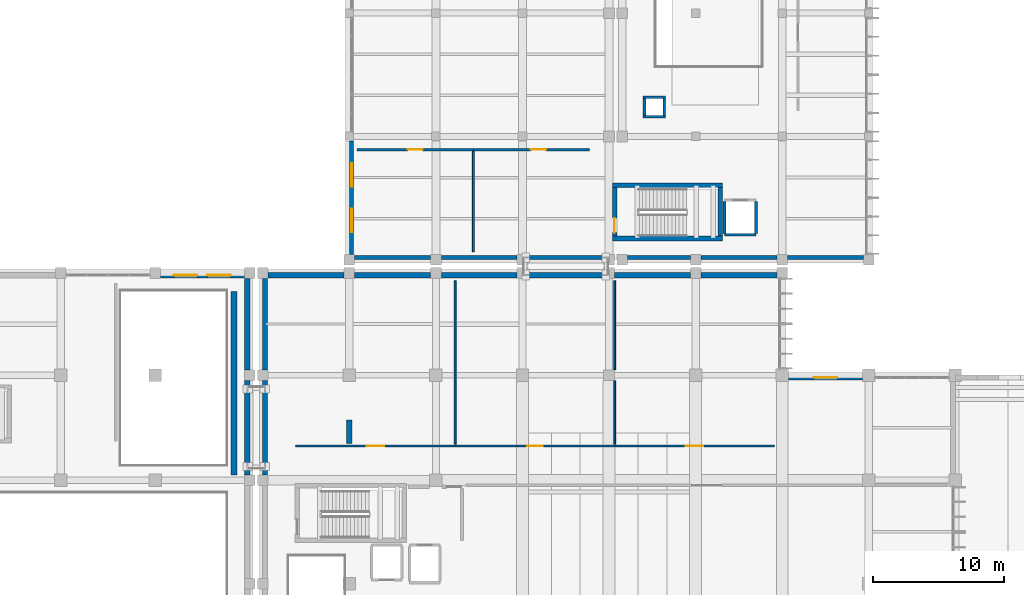
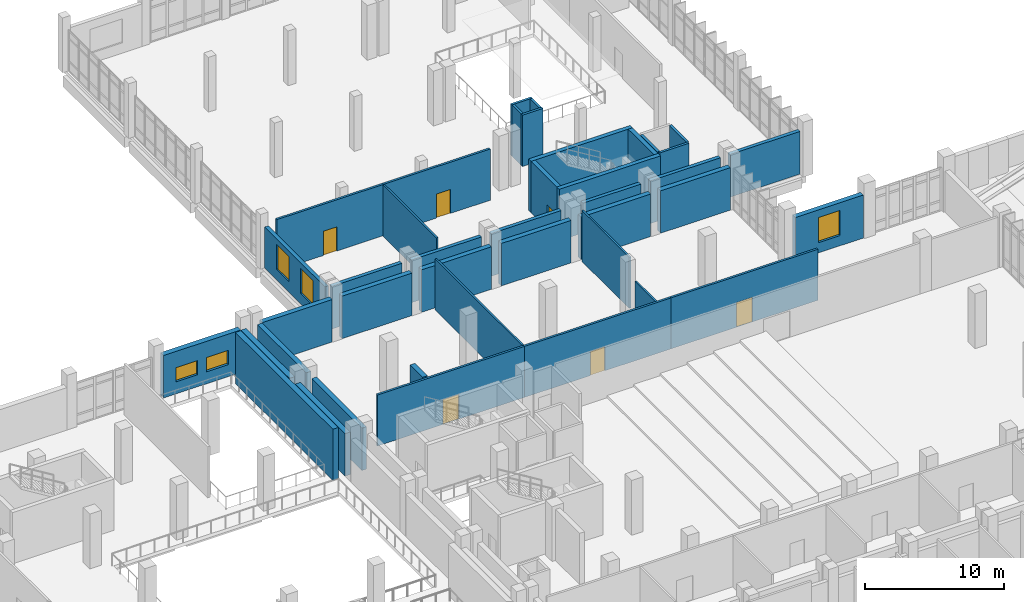
# One storey, part 70 of 90: 41 walls, 6 doors, 5 windows, 11 openings.
"""IFC4 building model written with IfcOpenShell, lengths in metres."""

from ifc_helpers import new_model, si_unit, direction, frame, frame_2d, origin, place, context, subcontext, project, spatial, rectangle, extrude, material, layer, layer_set, type_object, element, fill, save


model = new_model("IFC4")

# Units and contexts
model_context = context("Model", 3, precision=1e-05, world=origin(), true_north=direction((0.0, 1.0)))
body_context = subcontext(model_context, "Body", "Model", "MODEL_VIEW")
ifc_project = project(units=[si_unit("LENGTHUNIT", "METRE"), si_unit("AREAUNIT", "SQUARE_METRE"), si_unit("VOLUMEUNIT", "CUBIC_METRE"), si_unit("PLANEANGLEUNIT", "RADIAN"), si_unit("MASSUNIT", "GRAM", prefix="KILO")], contexts=[model_context])

# Site, building, storey
site_placement = place(None, origin())
site = spatial("IfcSite", under=ifc_project, at=site_placement, CompositionType="ELEMENT")
building_placement = place(site_placement, origin())
building = spatial("IfcBuilding", under=site, at=building_placement, Name="Kelarvand Opera House", CompositionType="ELEMENT")
storey_placement = place(building_placement, frame((0.0, 0.0, 5.39990234375)))
storey = spatial("IfcBuildingStorey", under=building, at=storey_placement, Name="L01", CompositionType="ELEMENT", Elevation=5.39990234375)

# Walls
ifc_material_1 = material(Name="Concrete C35/45", Category="concrete")
ifc_layer_1 = layer(ifc_material_1, 0.39990234375, Name="Concrete C35/45", Category="concrete")
ifc_layer_set_1 = layer_set([ifc_layer_1], Name="Concrete C35/45")
wall_type_1 = type_object("IfcWallType", Name="Acoustic Brick-Travertine Double Wall 400", PredefinedType="SOLIDWALL", material=ifc_layer_set_1)
wall_1_placement = place(storey_placement, frame((89.179931640625, 70.81005859375, 0.0), z_axis=(0.0, 0.0, 1.0), x_axis=(0.0, 1.0, 0.0)))
element("IfcWall", 1, at=wall_1_placement, inside=storey, type_object=wall_type_1, Name="V1 L01 Exterior Wall EW-400 (93)", PredefinedType="SOLIDWALL", context=body_context, shape_type="SweptSolid", body=[
    extrude(rectangle(XDim=7.179931640625, YDim=0.39990234375, at=frame_2d((3.58984375, 0.0))), origin(), (0.0, 0.0, 1.0), 3.72216796875),
])
wall_2_placement = place(storey_placement, frame((89.179931640625, 78.81005859375, 0.0), z_axis=(0.0, 0.0, 1.0), x_axis=(0.0, 1.0, 0.0)))
element("IfcWall", 2, at=wall_2_placement, inside=storey, type_object=wall_type_1, Name="V1 L01 Exterior Wall EW-400 (94)", PredefinedType="SOLIDWALL", context=body_context, shape_type="SweptSolid", body=[
    extrude(rectangle(XDim=6.97998046875, YDim=0.39990234375, at=frame_2d((3.489990234375, 0.0))), origin(), (0.0, 0.0, 1.0), 3.72216796875),
])
for number, where, z_axis, x_axis, name in (
    (3, (89.409912109375, 86.02001953125, 0.0), (0.0, 0.0, 1.0), (1.0, 0.0, 0.0), "V1 L01 Exterior Wall EW-400 (95)"),
    (4, (96.010009765625, 86.02001953125, 0.0), (0.0, 0.0, 1.0), (1.0, 0.0, 0.0), "V1 L01 Exterior Wall EW-400 (96)"),
):
    element("IfcWall", number, at=place(storey_placement, frame(where, z_axis=z_axis, x_axis=x_axis)), inside=storey, type_object=wall_type_1, Name=name, PredefinedType="SOLIDWALL", context=body_context, shape_type="SweptSolid", body=[
        extrude(rectangle(XDim=5.780029296875, YDim=0.39990234375, at=frame_2d((2.89013671875, 0.0))), origin(), (0.0, 0.0, 1.0), 3.72216796875),
    ])
wall_3_placement = place(storey_placement, frame((102.610107421875, 86.02001953125, 0.0), z_axis=(0.0, 0.0, 1.0), x_axis=(1.0, 0.0, 0.0)))
element("IfcWall", 5, at=wall_3_placement, inside=storey, type_object=wall_type_1, Name="V1 L01 Exterior Wall EW-400 (97)", PredefinedType="SOLIDWALL", context=body_context, shape_type="SweptSolid", body=[
    extrude(rectangle(XDim=5.77978515625, YDim=0.39990234375, at=frame_2d((2.889892578125, 0.0))), origin(), (0.0, 0.0, 1.0), 3.72216796875),
])
for number, where, z_axis, x_axis, name in (
    (6, (109.2099609375, 86.02001953125, 0.0), (0.0, 0.0, 1.0), (1.0, 0.0, 0.0), "V1 L01 Exterior Wall EW-400 (98)"),
    (7, (115.81005859375, 86.02001953125, 0.0), (0.0, 0.0, 1.0), (1.0, 0.0, 0.0), "V1 L01 Exterior Wall EW-400 (99)"),
    (8, (122.409912109375, 86.02001953125, 0.0), (0.0, 0.0, 1.0), (1.0, 0.0, 0.0), "V1 L01 Exterior Wall EW-400 (100)"),
):
    element("IfcWall", number, at=place(storey_placement, frame(where, z_axis=z_axis, x_axis=x_axis)), inside=storey, type_object=wall_type_1, Name=name, PredefinedType="SOLIDWALL", context=body_context, shape_type="SweptSolid", body=[
        extrude(rectangle(XDim=5.780029296875, YDim=0.39990234375, at=frame_2d((2.89013671875, 0.0))), origin(), (0.0, 0.0, 1.0), 3.72216796875),
    ])

# Wall, opening, window
wall_4_placement = place(storey_placement, frame((129.074951171875, 78.219970703125, 0.0), z_axis=(0.0, 0.0, 1.0), x_axis=(1.0, 0.0, 0.0)))
wall_4 = element("IfcWall", 9, at=wall_4_placement, inside=storey, type_object=wall_type_1, Name="V1 L01 Exterior Wall EW-400 (101)", PredefinedType="SOLIDWALL", context=body_context, shape_type="SweptSolid", body=[
    extrude(rectangle(XDim=5.650146484375, YDim=0.39990234375, at=frame_2d((2.8251953125, 0.0))), origin(), (0.0, 0.0, 1.0), 3.772216796875),
])
opening_1_placement = place(wall_4_placement, frame((1.925048828125, 0.0, 0.89990234375)))
opening_1 = element("IfcOpeningElement", 10, at=opening_1_placement, cuts=wall_4, Name="Opening WN-01", PredefinedType="OPENING", context=body_context, shape_type="SweptSolid", body=[
    extrude(rectangle(XDim=1.800048828125, YDim=2.199951171875, at=frame_2d((0.89990234375, 1.10009765625))), frame((0.0, 0.2099609375, 0.0), z_axis=(0.0, -1.0, 0.0), x_axis=(1.0, 0.0, 0.0)), (0.0, 0.0, 1.0), 0.419921875),
])
ifc_material_2 = material(Name="Thermally broken aluminium and low-E double glazing", Category="aluminium")
window_type_1 = type_object("IfcWindowType", Name="Recessed Aluminium Thermal Window 1800x2200 WN-01", PartitioningType="SINGLE_PANEL", PredefinedType="WINDOW", material=ifc_material_2)
window_1_placement = place(opening_1_placement, origin())
window_1 = element("IfcWindow", 11, at=window_1_placement, inside=storey, type_object=window_type_1, Name="V1 L01 Facade Window WN-01 (1)", OverallHeight=2.199951171875, OverallWidth=1.800048828125, PartitioningType="SINGLE_PANEL", PredefinedType="WINDOW", context=body_context, shape_type="SweptSolid", body=[
    extrude(rectangle(XDim=1.800048828125, YDim=2.199951171875, at=frame_2d((0.89990234375, 1.10009765625))), frame((0.0, 0.030029296875, 0.0), z_axis=(0.0, -1.0, 0.0), x_axis=(1.0, 0.0, 0.0)), (0.0, 0.0, 1.0), 0.06005859375),
])
fill(opening_1, window_1)

# Walls
ifc_material_3 = material(Name="Concrete C40/50", Category="concrete")
ifc_layer_2 = layer(ifc_material_3, 0.449951171875, Name="Concrete C40/50", Category="concrete")
ifc_layer_set_2 = layer_set([ifc_layer_2], Name="Concrete C40/50")
wall_type_2 = type_object("IfcWallType", Name="Acoustic Proscenium Shear Wall 450", PredefinedType="SHEAR", material=ifc_layer_set_2)
wall_5_placement = place(storey_placement, frame((86.800048828125, 70.800048828125, 0.0), z_axis=(0.0, 0.0, 1.0), x_axis=(0.0, 1.0, 0.0)))
element("IfcWall", 12, at=wall_5_placement, inside=storey, type_object=wall_type_2, Name="V2 Shear Wall PW-120 L01", PredefinedType="SHEAR", context=body_context, shape_type="SweptSolid", body=[
    extrude(rectangle(XDim=14.0, YDim=0.449951171875, at=frame_2d((7.0, 0.0))), origin(), (0.0, 0.0, 1.0), 4.47998046875),
])
ifc_material_4 = material(Name="Acoustic double-stud gypsum partition")
ifc_layer_3 = layer(ifc_material_4, 0.14990234375, Name="Acoustic double-stud gypsum partition")
ifc_layer_set_3 = layer_set([ifc_layer_3], Name="Acoustic double-stud gypsum partition")
wall_type_3 = type_object("IfcWallType", Name="Acoustic Room Partition Wall 150", PredefinedType="PARTITIONING", material=ifc_layer_set_3)
wall_6_placement = place(storey_placement, frame((103.6669921875, 73.139892578125, 0.0), z_axis=(0.0, 0.0, 1.0), x_axis=(0.0, 1.0, 0.0)))
element("IfcWall", 13, at=wall_6_placement, inside=storey, type_object=wall_type_3, Name="V1 L01 Partition Wall IW-150 (377)", PredefinedType="PARTITIONING", context=body_context, shape_type="SweptSolid", body=[
    extrude(rectangle(XDim=12.460205078125, YDim=0.14990234375, at=frame_2d((6.22998046875, 0.0))), origin(), (0.0, 0.0, 1.0), 4.47216796875),
])
wall_7_placement = place(storey_placement, frame((115.8330078125, 73.139892578125, 0.0), z_axis=(0.0, 0.0, 1.0), x_axis=(0.0, 1.0, 0.0)))
element("IfcWall", 14, at=wall_7_placement, inside=storey, type_object=wall_type_3, Name="V1 L01 Partition Wall IW-150 (379)", PredefinedType="PARTITIONING", context=body_context, shape_type="SweptSolid", body=[
    extrude(rectangle(XDim=4.85009765625, YDim=0.14990234375, at=frame_2d((2.425048828125, 0.0))), origin(), (0.0, 0.0, 1.0), 2.8720703125),
])
wall_8_placement = place(storey_placement, frame((115.8330078125, 78.81005859375, 0.0), z_axis=(0.0, 0.0, 1.0), x_axis=(0.0, 1.0, 0.0)))
element("IfcWall", 15, at=wall_8_placement, inside=storey, type_object=wall_type_3, Name="V1 L01 Partition Wall IW-150 (380)", PredefinedType="PARTITIONING", context=body_context, shape_type="SweptSolid", body=[
    extrude(rectangle(XDim=6.7900390625, YDim=0.14990234375, at=frame_2d((3.39501953125, 0.0))), origin(), (0.0, 0.0, 1.0), 4.47216796875),
])
wall_9_placement = place(storey_placement, frame((105.050048828125, 87.800048828125, 0.0), z_axis=(0.0, 0.0, 1.0), x_axis=(0.0, 1.0, 0.0)))
element("IfcWall", 16, at=wall_9_placement, inside=storey, type_object=wall_type_3, Name="V5 L01 Partition Wall IW-150 (410)", PredefinedType="PARTITIONING", context=body_context, shape_type="SweptSolid", body=[
    extrude(rectangle(XDim=7.659912109375, YDim=0.14990234375, at=frame_2d((3.830078125, 0.0))), origin(), (0.0, 0.0, 1.0), 4.4921875),
])
ifc_layer_4 = layer(ifc_material_3, 0.35009765625, Name="Concrete C40/50", Category="concrete")
ifc_layer_set_4 = layer_set([ifc_layer_4], Name="Concrete C40/50")
wall_type_4 = type_object("IfcWallType", Name="Core Stair and Lift Shear Wall 350", PredefinedType="SHEAR", material=ifc_layer_set_4)
for number, where, z_axis, x_axis, name in (
    (17, (115.64990234375, 88.824951171875, 0.0), (0.0, 0.0, 1.0), (1.0, 0.0, 0.0), "C7 Stair Core Shear Wall S L01"),
    (18, (124.050048828125, 92.875, 0.0), (0.0, 0.0, 1.0), (-1.0, 0.0, 0.0), "C7 Stair Core Shear Wall N L01"),
):
    element("IfcWall", number, at=place(storey_placement, frame(where, z_axis=z_axis, x_axis=x_axis)), inside=storey, type_object=wall_type_4, Name=name, PredefinedType="SHEAR", context=body_context, shape_type="SweptSolid", body=[
        extrude(rectangle(XDim=8.400146484375, YDim=0.35009765625, at=frame_2d((4.2001953125, 0.0))), origin(), (0.0, 0.0, 1.0), 4.5),
    ])

# Wall, opening, door
wall_10_placement = place(storey_placement, frame((115.824951171875, 89.0, 0.0), z_axis=(0.0, 0.0, 1.0), x_axis=(0.0, 1.0, 0.0)))
wall_10 = element("IfcWall", 19, at=wall_10_placement, inside=storey, type_object=wall_type_4, Name="C7 Stair Core Shear Wall W L01", PredefinedType="SHEAR", context=body_context, shape_type="SweptSolid", body=[
    extrude(rectangle(XDim=3.699951171875, YDim=0.35009765625, at=frame_2d((1.85009765625, 0.0))), origin(), (0.0, 0.0, 1.0), 4.5),
])
opening_2_placement = place(wall_10_placement, frame((0.280029296875, 0.0, 0.0)))
opening_2 = element("IfcOpeningElement", 20, at=opening_2_placement, cuts=wall_10, Name="Opening FD-01", PredefinedType="OPENING", context=body_context, shape_type="SweptSolid", body=[
    extrude(rectangle(XDim=1.10009765625, YDim=2.080078125, at=frame_2d((0.550048828125, 1.0400390625))), frame((0.0, 0.18505859375, 0.0), z_axis=(0.0, -1.0, 0.0), x_axis=(1.0, 0.0, 0.0)), (0.0, 0.0, 1.0), 0.3701171875),
])
ifc_material_5 = material(Name="Fire-rated brushed stainless steel", Category="steel")
door_type_1 = type_object("IfcDoorType", Name="Steel Fire-Rated Stair and FF Lobby Door 1100x2080", OperationType="NOTDEFINED", PredefinedType="DOOR", material=ifc_material_5)
door_1_placement = place(opening_2_placement, origin())
door_1 = element("IfcDoor", 21, at=door_1_placement, inside=storey, type_object=door_type_1, Name="C7 Stair ST-07 Fire Door L01", OperationType="SINGLE_SWING_RIGHT", OverallHeight=2.080078125, OverallWidth=1.10009765625, PredefinedType="DOOR", context=body_context, shape_type="SweptSolid", body=[
    extrude(rectangle(XDim=1.10009765625, YDim=2.080078125, at=frame_2d((0.550048828125, 1.0400390625))), frame((0.0, 0.02490234375, 0.0), z_axis=(0.0, -1.0, 0.0), x_axis=(1.0, 0.0, 0.0)), (0.0, 0.0, 1.0), 0.050048828125),
])
fill(opening_2, door_1)

# Wall
wall_11_placement = place(storey_placement, frame((123.875, 92.699951171875, 0.0), z_axis=(0.0, 0.0, 1.0), x_axis=(0.0, -1.0, 0.0)))
element("IfcWall", 22, at=wall_11_placement, inside=storey, type_object=wall_type_4, Name="C7 Stair Core Shear Wall E L01", PredefinedType="SHEAR", context=body_context, shape_type="SweptSolid", body=[
    extrude(rectangle(XDim=3.699951171875, YDim=0.35009765625, at=frame_2d((1.85009765625, 0.0))), origin(), (0.0, 0.0, 1.0), 4.5),
])

# Wall, opening, door
ifc_layer_5 = layer(ifc_material_1, 0.179931640625, Name="Concrete C35/45", Category="concrete")
ifc_layer_set_5 = layer_set([ifc_layer_5], Name="Concrete C35/45")
wall_type_5 = type_object("IfcWallType", Name="Corridor Fire-Rated Partition Wall 180 EI90", PredefinedType="PARTITIONING", material=ifc_layer_set_5)
wall_12_placement = place(storey_placement, frame((91.5, 73.0, 0.0), z_axis=(0.0, 0.0, 1.0), x_axis=(1.0, 0.0, 0.0)))
wall_12 = element("IfcWall", 23, at=wall_12_placement, inside=storey, type_object=wall_type_5, Name="V1 L01 Partition Wall IW-90 (376)", PredefinedType="PARTITIONING", context=body_context, shape_type="SweptSolid", body=[
    extrude(rectangle(XDim=12.1669921875, YDim=0.179931640625, at=frame_2d((6.08349609375, 0.0))), origin(), (0.0, 0.0, 1.0), 4.47216796875),
])
opening_3_placement = place(wall_12_placement, frame((5.408935546875, 0.0, 0.0)))
opening_3 = element("IfcOpeningElement", 24, at=opening_3_placement, cuts=wall_12, Name="Opening D-12", PredefinedType="OPENING", context=body_context, shape_type="SweptSolid", body=[
    extrude(rectangle(XDim=1.35009765625, YDim=2.159912109375, at=frame_2d((0.675048828125, 1.080078125))), frame((0.0, 0.10009765625, 0.0), z_axis=(0.0, -1.0, 0.0), x_axis=(1.0, 0.0, 0.0)), (0.0, 0.0, 1.0), 0.199951171875),
])
ifc_material_6 = material(Name="Acoustic walnut-veneered hardwood", Category="wood")
door_type_2 = type_object("IfcDoorType", Name="Wardrobe Studio Leaf-and-Half Door 1350x2160", OperationType="NOTDEFINED", PredefinedType="DOOR", material=ifc_material_6)
door_2_placement = place(opening_3_placement, origin())
door_2 = element("IfcDoor", 25, at=door_2_placement, inside=storey, type_object=door_type_2, Name="V1 L01 Door D-12 (162)", OperationType="SINGLE_SWING_RIGHT", OverallHeight=2.159912109375, OverallWidth=1.35009765625, PredefinedType="DOOR", context=body_context, shape_type="SweptSolid", body=[
    extrude(rectangle(XDim=1.35009765625, YDim=2.159912109375, at=frame_2d((0.675048828125, 1.080078125))), frame((0.0, 0.02490234375, 0.0), z_axis=(0.0, -1.0, 0.0), x_axis=(1.0, 0.0, 0.0)), (0.0, 0.0, 1.0), 0.050048828125),
])
fill(opening_3, door_2)

wall_13_placement = place(storey_placement, frame((103.6669921875, 73.0, 0.0), z_axis=(0.0, 0.0, 1.0), x_axis=(1.0, 0.0, 0.0)))
wall_13 = element("IfcWall", 26, at=wall_13_placement, inside=storey, type_object=wall_type_5, Name="V1 L01 Partition Wall IW-90 (378)", PredefinedType="PARTITIONING", context=body_context, shape_type="SweptSolid", body=[
    extrude(rectangle(XDim=12.166015625, YDim=0.179931640625, at=frame_2d((6.0830078125, 0.0))), origin(), (0.0, 0.0, 1.0), 4.47216796875),
])
opening_4_placement = place(wall_13_placement, frame((5.48291015625, 0.0, 0.0)))
opening_4 = element("IfcOpeningElement", 27, at=opening_4_placement, cuts=wall_13, Name="Opening D-06", PredefinedType="OPENING", context=body_context, shape_type="SweptSolid", body=[
    extrude(rectangle(XDim=1.199951171875, YDim=2.10009765625, at=frame_2d((0.60009765625, 1.050048828125))), frame((0.0, 0.10009765625, 0.0), z_axis=(0.0, -1.0, 0.0), x_axis=(1.0, 0.0, 0.0)), (0.0, 0.0, 1.0), 0.199951171875),
])
door_type_3 = type_object("IfcDoorType", Name="Accessible Suite Timber Door 1200x2100", OperationType="NOTDEFINED", PredefinedType="DOOR", material=ifc_material_6)
door_3_placement = place(opening_4_placement, origin())
door_3 = element("IfcDoor", 28, at=door_3_placement, inside=storey, type_object=door_type_3, Name="V1 L01 Door D-06 (163)", OperationType="SINGLE_SWING_LEFT", OverallHeight=2.10009765625, OverallWidth=1.199951171875, PredefinedType="DOOR", context=body_context, shape_type="SweptSolid", body=[
    extrude(rectangle(XDim=1.199951171875, YDim=2.10009765625, at=frame_2d((0.60009765625, 1.050048828125))), frame((0.0, 0.02490234375, 0.0), z_axis=(0.0, -1.0, 0.0), x_axis=(1.0, 0.0, 0.0)), (0.0, 0.0, 1.0), 0.050048828125),
])
fill(opening_4, door_3)

wall_14_placement = place(storey_placement, frame((115.8330078125, 73.0, 0.0), z_axis=(0.0, 0.0, 1.0), x_axis=(1.0, 0.0, 0.0)))
wall_14 = element("IfcWall", 29, at=wall_14_placement, inside=storey, type_object=wall_type_5, Name="V1 L01 Partition Wall IW-90 (381)", PredefinedType="PARTITIONING", context=body_context, shape_type="SweptSolid", body=[
    extrude(rectangle(XDim=12.1669921875, YDim=0.179931640625, at=frame_2d((6.08349609375, 0.0))), origin(), (0.0, 0.0, 1.0), 4.47216796875),
])
opening_5_placement = place(wall_14_placement, frame((5.408935546875, 0.0, 0.0)))
opening_5 = element("IfcOpeningElement", 30, at=opening_5_placement, cuts=wall_14, Name="Opening D-12", PredefinedType="OPENING", context=body_context, shape_type="SweptSolid", body=[
    extrude(rectangle(XDim=1.35009765625, YDim=2.159912109375, at=frame_2d((0.675048828125, 1.080078125))), frame((0.0, 0.10009765625, 0.0), z_axis=(0.0, -1.0, 0.0), x_axis=(1.0, 0.0, 0.0)), (0.0, 0.0, 1.0), 0.199951171875),
])
door_4_placement = place(opening_5_placement, origin())
door_4 = element("IfcDoor", 31, at=door_4_placement, inside=storey, type_object=door_type_2, Name="V1 L01 Door D-12 (164)", OperationType="SINGLE_SWING_RIGHT", OverallHeight=2.159912109375, OverallWidth=1.35009765625, PredefinedType="DOOR", context=body_context, shape_type="SweptSolid", body=[
    extrude(rectangle(XDim=1.35009765625, YDim=2.159912109375, at=frame_2d((0.675048828125, 1.080078125))), frame((0.0, 0.02490234375, 0.0), z_axis=(0.0, -1.0, 0.0), x_axis=(1.0, 0.0, 0.0)), (0.0, 0.0, 1.0), 0.050048828125),
])
fill(opening_5, door_4)

wall_15_placement = place(storey_placement, frame((96.199951171875, 95.60009765625, 0.0), z_axis=(0.0, 0.0, 1.0), x_axis=(1.0, 0.0, 0.0)))
wall_15 = element("IfcWall", 32, at=wall_15_placement, inside=storey, type_object=wall_type_5, Name="V5 L01 Partition Wall IW-90 (409)", PredefinedType="PARTITIONING", context=body_context, shape_type="SweptSolid", body=[
    extrude(rectangle(XDim=8.85009765625, YDim=0.179931640625, at=frame_2d((4.425048828125, 0.0))), origin(), (0.0, 0.0, 1.0), 4.4921875),
])
opening_6_placement = place(wall_15_placement, frame((3.864990234375, 0.0, 0.0)))
opening_6 = element("IfcOpeningElement", 33, at=opening_6_placement, cuts=wall_15, Name="Opening D-10", PredefinedType="OPENING", context=body_context, shape_type="SweptSolid", body=[
    extrude(rectangle(XDim=1.1201171875, YDim=2.1201171875, at=frame_2d((0.56005859375, 1.06005859375))), frame((0.0, 0.10009765625, 0.0), z_axis=(0.0, -1.0, 0.0), x_axis=(1.0, 0.0, 0.0)), (0.0, 0.0, 1.0), 0.199951171875),
])
door_type_4 = type_object("IfcDoorType", Name="Chorus Studio Single Door 1120x2120", OperationType="NOTDEFINED", PredefinedType="DOOR", material=ifc_material_6)
door_5_placement = place(opening_6_placement, origin())
door_5 = element("IfcDoor", 34, at=door_5_placement, inside=storey, type_object=door_type_4, Name="V5 L01 Door D-10 (181)", OperationType="SINGLE_SWING_RIGHT", OverallHeight=2.1201171875, OverallWidth=1.1201171875, PredefinedType="DOOR", context=body_context, shape_type="SweptSolid", body=[
    extrude(rectangle(XDim=1.1201171875, YDim=2.1201171875, at=frame_2d((0.56005859375, 1.06005859375))), frame((0.0, 0.02490234375, 0.0), z_axis=(0.0, -1.0, 0.0), x_axis=(1.0, 0.0, 0.0)), (0.0, 0.0, 1.0), 0.050048828125),
])
fill(opening_6, door_5)

wall_16_placement = place(storey_placement, frame((105.050048828125, 95.60009765625, 0.0), z_axis=(0.0, 0.0, 1.0), x_axis=(1.0, 0.0, 0.0)))
wall_16 = element("IfcWall", 35, at=wall_16_placement, inside=storey, type_object=wall_type_5, Name="V5 L01 Partition Wall IW-90 (411)", PredefinedType="PARTITIONING", context=body_context, shape_type="SweptSolid", body=[
    extrude(rectangle(XDim=8.849853515625, YDim=0.179931640625, at=frame_2d((4.4248046875, 0.0))), origin(), (0.0, 0.0, 1.0), 4.4921875),
])
opening_7_placement = place(wall_16_placement, frame((4.383056640625, 0.0, 0.0)))
opening_7 = element("IfcOpeningElement", 36, at=opening_7_placement, cuts=wall_16, Name="Opening D-20", PredefinedType="OPENING", context=body_context, shape_type="SweptSolid", body=[
    extrude(rectangle(XDim=1.159912109375, YDim=2.10009765625, at=frame_2d((0.580078125, 1.050048828125))), frame((0.0, 0.10009765625, 0.0), z_axis=(0.0, -1.0, 0.0), x_axis=(1.0, 0.0, 0.0)), (0.0, 0.0, 1.0), 0.199951171875),
])
door_type_5 = type_object("IfcDoorType", Name="Library Reading Room Door 1160x2100", OperationType="NOTDEFINED", PredefinedType="DOOR", material=ifc_material_6)
door_6_placement = place(opening_7_placement, origin())
door_6 = element("IfcDoor", 37, at=door_6_placement, inside=storey, type_object=door_type_5, Name="V5 L01 Door D-20 (182)", OperationType="SINGLE_SWING_LEFT", OverallHeight=2.10009765625, OverallWidth=1.159912109375, PredefinedType="DOOR", context=body_context, shape_type="SweptSolid", body=[
    extrude(rectangle(XDim=1.159912109375, YDim=2.10009765625, at=frame_2d((0.580078125, 1.050048828125))), frame((0.0, 0.02490234375, 0.0), z_axis=(0.0, -1.0, 0.0), x_axis=(1.0, 0.0, 0.0)), (0.0, 0.0, 1.0), 0.050048828125),
])
fill(opening_7, door_6)

# Wall, openings, windows
ifc_layer_6 = layer(ifc_material_1, 0.300048828125, Name="Concrete C35/45", Category="concrete")
ifc_layer_set_6 = layer_set([ifc_layer_6], Name="Concrete C35/45")
wall_type_6 = type_object("IfcWallType", Name="Insulated Buff Brick Facade Wall 300", PredefinedType="SOLIDWALL", material=ifc_layer_set_6)
wall_17_placement = place(storey_placement, frame((95.780029296875, 87.610107421875, 0.0), z_axis=(0.0, 0.0, 1.0), x_axis=(0.0, 1.0, 0.0)))
wall_17 = element("IfcWall", 38, at=wall_17_placement, inside=storey, type_object=wall_type_6, Name="V5 L01 Exterior Wall EW-300 (611)", PredefinedType="SOLIDWALL", context=body_context, shape_type="SweptSolid", body=[
    extrude(rectangle(XDim=8.664794921875, YDim=0.300048828125, at=frame_2d((4.33251953125, 0.0))), origin(), (0.0, 0.0, 1.0), 3.592041015625),
])
opening_8_placement = place(wall_17_placement, frame((1.699951171875, 0.0, 0.89990234375)))
opening_8 = element("IfcOpeningElement", 39, at=opening_8_placement, cuts=wall_17, Name="Opening WN-01", PredefinedType="OPENING", context=body_context, shape_type="SweptSolid", body=[
    extrude(rectangle(XDim=1.800048828125, YDim=2.199951171875, at=frame_2d((0.89990234375, 1.10009765625))), frame((0.0, 0.16015625, 0.0), z_axis=(0.0, -1.0, 0.0), x_axis=(1.0, 0.0, 0.0)), (0.0, 0.0, 1.0), 0.320068359375),
])
opening_9_placement = place(wall_17_placement, frame((5.166015625, 0.0, 0.89990234375)))
opening_9 = element("IfcOpeningElement", 40, at=opening_9_placement, cuts=wall_17, Name="Opening WN-01", PredefinedType="OPENING", context=body_context, shape_type="SweptSolid", body=[
    extrude(rectangle(XDim=1.800048828125, YDim=2.199951171875, at=frame_2d((0.89990234375, 1.10009765625))), frame((0.0, 0.16015625, 0.0), z_axis=(0.0, -1.0, 0.0), x_axis=(1.0, 0.0, 0.0)), (0.0, 0.0, 1.0), 0.320068359375),
])
window_2_placement = place(opening_8_placement, origin())
window_2 = element("IfcWindow", 41, at=window_2_placement, inside=storey, type_object=window_type_1, Name="V5 L01 Facade Window WN-01 (290)", OverallHeight=2.199951171875, OverallWidth=1.800048828125, PartitioningType="SINGLE_PANEL", PredefinedType="WINDOW", context=body_context, shape_type="SweptSolid", body=[
    extrude(rectangle(XDim=1.800048828125, YDim=2.199951171875, at=frame_2d((0.89990234375, 1.10009765625))), frame((0.0, 0.030029296875, 0.0), z_axis=(0.0, -1.0, 0.0), x_axis=(1.0, 0.0, 0.0)), (0.0, 0.0, 1.0), 0.06005859375),
])
fill(opening_8, window_2)
window_3_placement = place(opening_9_placement, origin())
window_3 = element("IfcWindow", 42, at=window_3_placement, inside=storey, type_object=window_type_1, Name="V5 L01 Facade Window WN-01 (291)", OverallHeight=2.199951171875, OverallWidth=1.800048828125, PartitioningType="SINGLE_PANEL", PredefinedType="WINDOW", context=body_context, shape_type="SweptSolid", body=[
    extrude(rectangle(XDim=1.800048828125, YDim=2.199951171875, at=frame_2d((0.89990234375, 1.10009765625))), frame((0.0, 0.030029296875, 0.0), z_axis=(0.0, -1.0, 0.0), x_axis=(1.0, 0.0, 0.0)), (0.0, 0.0, 1.0), 0.06005859375),
])
fill(opening_9, window_3)

# Walls
for number, where, z_axis, x_axis, name in (
    (43, (134.7900390625, 87.3798828125, 0.0), (0.0, 0.0, 1.0), (-1.0, 0.0, 0.0), "V5 L01 Exterior Wall EW-300 (612)"),
    (44, (128.18994140625, 87.3798828125, 0.0), (0.0, 0.0, 1.0), (-1.0, 0.0, 0.0), "V5 L01 Exterior Wall EW-300 (613)"),
):
    element("IfcWall", number, at=place(storey_placement, frame(where, z_axis=z_axis, x_axis=x_axis)), inside=storey, type_object=wall_type_6, Name=name, PredefinedType="SOLIDWALL", context=body_context, shape_type="SweptSolid", body=[
        extrude(rectangle(XDim=5.780029296875, YDim=0.300048828125, at=frame_2d((2.89013671875, 0.0))), origin(), (0.0, 0.0, 1.0), 3.7421875),
    ])
wall_18_placement = place(storey_placement, frame((121.590087890625, 87.3798828125, 0.0), z_axis=(0.0, 0.0, 1.0), x_axis=(-1.0, 0.0, 0.0)))
element("IfcWall", 45, at=wall_18_placement, inside=storey, type_object=wall_type_6, Name="V5 L01 Exterior Wall EW-300 (614)", PredefinedType="SOLIDWALL", context=body_context, shape_type="SweptSolid", body=[
    extrude(rectangle(XDim=4.780029296875, YDim=0.300048828125, at=frame_2d((2.39013671875, 0.0))), origin(), (0.0, 0.0, 1.0), 3.7421875),
])
wall_19_placement = place(storey_placement, frame((114.989990234375, 87.3798828125, 0.0), z_axis=(0.0, 0.0, 1.0), x_axis=(-1.0, 0.0, 0.0)))
element("IfcWall", 46, at=wall_19_placement, inside=storey, type_object=wall_type_6, Name="V5 L01 Exterior Wall EW-300 (615)", PredefinedType="SOLIDWALL", context=body_context, shape_type="SweptSolid", body=[
    extrude(rectangle(XDim=5.780029296875, YDim=0.300048828125, at=frame_2d((2.89013671875, 0.0))), origin(), (0.0, 0.0, 1.0), 3.7421875),
])
wall_20_placement = place(storey_placement, frame((108.389892578125, 87.3798828125, 0.0), z_axis=(0.0, 0.0, 1.0), x_axis=(-1.0, 0.0, 0.0)))
element("IfcWall", 47, at=wall_20_placement, inside=storey, type_object=wall_type_6, Name="V5 L01 Exterior Wall EW-300 (616)", PredefinedType="SOLIDWALL", context=body_context, shape_type="SweptSolid", body=[
    extrude(rectangle(XDim=5.77978515625, YDim=0.300048828125, at=frame_2d((2.889892578125, 0.0))), origin(), (0.0, 0.0, 1.0), 3.7421875),
])
wall_21_placement = place(storey_placement, frame((101.7900390625, 87.3798828125, 0.0), z_axis=(0.0, 0.0, 1.0), x_axis=(-1.0, 0.0, 0.0)))
element("IfcWall", 48, at=wall_21_placement, inside=storey, type_object=wall_type_6, Name="V5 L01 Exterior Wall EW-300 (617)", PredefinedType="SOLIDWALL", context=body_context, shape_type="SweptSolid", body=[
    extrude(rectangle(XDim=5.780029296875, YDim=0.300048828125, at=frame_2d((2.89013671875, 0.0))), origin(), (0.0, 0.0, 1.0), 3.7421875),
])
ifc_layer_7 = layer(ifc_material_1, 0.199951171875, Name="Concrete C35/45", Category="concrete")
ifc_layer_set_7 = layer_set([ifc_layer_7], Name="Concrete C35/45")
wall_type_7 = type_object("IfcWallType", Name="Lift and Riser Shaft Enclosure Wall 200 EI120", PredefinedType="PARTITIONING", material=ifc_layer_set_7)
for number, where, z_axis, x_axis, name in (
    (49, (118.0, 98.10009765625, 0.0), (0.0, 0.0, 1.0), (1.0, 0.0, 0.0), "RSR-V5 L01 Riser Shaft Wall 125"),
    (50, (119.699951171875, 99.60009765625, 0.0), (0.0, 0.0, 1.0), (-1.0, 0.0, 0.0), "RSR-V5 L01 Riser Shaft Wall 126"),
):
    element("IfcWall", number, at=place(storey_placement, frame(where, z_axis=z_axis, x_axis=x_axis)), inside=storey, type_object=wall_type_7, Name=name, PredefinedType="PARTITIONING", context=body_context, shape_type="SweptSolid", body=[
        extrude(rectangle(XDim=1.699951171875, YDim=0.199951171875, at=frame_2d((0.85009765625, 0.0))), origin(), (0.0, 0.0, 1.0), 4.5),
    ])
for number, where, z_axis, x_axis, name in (
    (51, (118.10009765625, 98.199951171875, 0.0), (0.0, 0.0, 1.0), (0.0, 1.0, 0.0), "RSR-V5 L01 Riser Shaft Wall 127"),
    (52, (119.60009765625, 99.5, 0.0), (0.0, 0.0, 1.0), (0.0, -1.0, 0.0), "RSR-V5 L01 Riser Shaft Wall 128"),
):
    element("IfcWall", number, at=place(storey_placement, frame(where, z_axis=z_axis, x_axis=x_axis)), inside=storey, type_object=wall_type_7, Name=name, PredefinedType="PARTITIONING", context=body_context, shape_type="SweptSolid", body=[
        extrude(rectangle(XDim=1.300048828125, YDim=0.199951171875, at=frame_2d((0.64990234375, 0.0))), origin(), (0.0, 0.0, 1.0), 4.5),
    ])
wall_22_placement = place(storey_placement, frame((124.199951171875, 89.10009765625, 0.0), z_axis=(0.0, 0.0, 1.0), x_axis=(1.0, 0.0, 0.0)))
element("IfcWall", 53, at=wall_22_placement, inside=storey, type_object=wall_type_7, Name="V5 L01 Partition Wall SW-200 (356)", PredefinedType="PARTITIONING", context=body_context, shape_type="SweptSolid", body=[
    extrude(rectangle(XDim=2.400146484375, YDim=0.199951171875, at=frame_2d((1.2001953125, 0.0))), origin(), (0.0, 0.0, 1.0), 4.4921875),
])
for number, where, z_axis, x_axis, name in (
    (54, (124.199951171875, 89.199951171875, 0.0), (0.0, 0.0, 1.0), (0.0, 1.0, 0.0), "V5 L01 Partition Wall SW-200 (358)"),
    (55, (126.60009765625, 91.64990234375, 0.0), (0.0, 0.0, 1.0), (0.0, -1.0, 0.0), "V5 L01 Partition Wall SW-200 (359)"),
):
    element("IfcWall", number, at=place(storey_placement, frame(where, z_axis=z_axis, x_axis=x_axis)), inside=storey, type_object=wall_type_7, Name=name, PredefinedType="PARTITIONING", context=body_context, shape_type="SweptSolid", body=[
        extrude(rectangle(XDim=2.449951171875, YDim=0.199951171875, at=frame_2d((1.22509765625, 0.0))), origin(), (0.0, 0.0, 1.0), 4.4921875),
    ])
ifc_layer_8 = layer(ifc_material_3, 0.39990234375, Name="Concrete C40/50", Category="concrete")
ifc_layer_set_8 = layer_set([ifc_layer_8], Name="Concrete C40/50")
wall_type_8 = type_object("IfcWallType", Name="Seismic Compartment Shear Wall 400", PredefinedType="SHEAR", material=ifc_layer_set_8)
wall_23_placement = place(storey_placement, frame((95.60009765625, 73.199951171875, 0.0), z_axis=(0.0, 0.0, 1.0), x_axis=(0.0, 1.0, 0.0)))
element("IfcWall", 56, at=wall_23_placement, inside=storey, type_object=wall_type_8, Name="V1 Shear Wall CW-120 L01", PredefinedType="SHEAR", context=body_context, shape_type="SweptSolid", body=[
    extrude(rectangle(XDim=1.800048828125, YDim=0.39990234375, at=frame_2d((0.89990234375, 0.0))), origin(), (0.0, 0.0, 1.0), 4.47998046875),
])
ifc_layer_9 = layer(ifc_material_1, 0.43994140625, Name="Concrete C35/45", Category="concrete")
ifc_layer_set_9 = layer_set([ifc_layer_9], Name="Concrete C35/45")
wall_type_9 = type_object("IfcWallType", Name="Stage House Acoustic Cavity Wall 440", PredefinedType="SOLIDWALL", material=ifc_layer_set_9)
wall_24_placement = place(storey_placement, frame((87.820068359375, 85.7900390625, 0.0), z_axis=(0.0, 0.0, 1.0), x_axis=(0.0, -1.0, 0.0)))
element("IfcWall", 57, at=wall_24_placement, inside=storey, type_object=wall_type_9, Name="V2 L01 Exterior Wall EW-440 (240)", PredefinedType="SOLIDWALL", context=body_context, shape_type="SweptSolid", body=[
    extrude(rectangle(XDim=6.97998046875, YDim=0.43994140625, at=frame_2d((3.489990234375, 0.0))), origin(), (0.0, 0.0, 1.0), 3.72216796875),
])
wall_25_placement = place(storey_placement, frame((87.820068359375, 77.989990234375, 0.0), z_axis=(0.0, 0.0, 1.0), x_axis=(0.0, -1.0, 0.0)))
element("IfcWall", 58, at=wall_25_placement, inside=storey, type_object=wall_type_9, Name="V2 L01 Exterior Wall EW-440 (241)", PredefinedType="SOLIDWALL", context=body_context, shape_type="SweptSolid", body=[
    extrude(rectangle(XDim=7.179931640625, YDim=0.43994140625, at=frame_2d((3.58984375, 0.0))), origin(), (0.0, 0.0, 1.0), 3.72216796875),
])

# Wall, openings, windows
wall_26_placement = place(storey_placement, frame((81.2099609375, 86.02001953125, 0.0), z_axis=(0.0, 0.0, 1.0), x_axis=(1.0, 0.0, 0.0)))
wall_26 = element("IfcWall", 59, at=wall_26_placement, inside=storey, type_object=wall_type_9, Name="V2 L01 Exterior Wall EW-440 (248)", PredefinedType="SOLIDWALL", context=body_context, shape_type="SweptSolid", body=[
    extrude(rectangle(XDim=6.380126953125, YDim=0.43994140625, at=frame_2d((3.18994140625, 0.0))), origin(), (0.0, 0.0, 1.0), 3.72216796875),
])
opening_10_placement = place(wall_26_placement, frame((1.013916015625, 0.0, 1.050048828125)))
opening_10 = element("IfcOpeningElement", 60, at=opening_10_placement, cuts=wall_26, Name="Opening WN-23", PredefinedType="OPENING", context=body_context, shape_type="SweptSolid", body=[
    extrude(rectangle(XDim=1.800048828125, YDim=1.25, at=frame_2d((0.89990234375, 0.625))), frame((0.0, 0.22998046875, 0.0), z_axis=(0.0, -1.0, 0.0), x_axis=(1.0, 0.0, 0.0)), (0.0, 0.0, 1.0), 0.4599609375),
])
opening_11_placement = place(wall_26_placement, frame((3.56591796875, 0.0, 1.050048828125)))
opening_11 = element("IfcOpeningElement", 61, at=opening_11_placement, cuts=wall_26, Name="Opening WN-23", PredefinedType="OPENING", context=body_context, shape_type="SweptSolid", body=[
    extrude(rectangle(XDim=1.800048828125, YDim=1.25, at=frame_2d((0.89990234375, 0.625))), frame((0.0, 0.22998046875, 0.0), z_axis=(0.0, -1.0, 0.0), x_axis=(1.0, 0.0, 0.0)), (0.0, 0.0, 1.0), 0.4599609375),
])
window_type_2 = type_object("IfcWindowType", Name="Recessed Aluminium Thermal Window 1800x1250 WN-23", PartitioningType="SINGLE_PANEL", PredefinedType="WINDOW", material=ifc_material_2)
window_4_placement = place(opening_10_placement, origin())
window_4 = element("IfcWindow", 62, at=window_4_placement, inside=storey, type_object=window_type_2, Name="V2 L01 Facade Window WN-23 (20)", OverallHeight=1.25, OverallWidth=1.800048828125, PartitioningType="SINGLE_PANEL", PredefinedType="WINDOW", context=body_context, shape_type="SweptSolid", body=[
    extrude(rectangle(XDim=1.800048828125, YDim=1.25, at=frame_2d((0.89990234375, 0.625))), frame((0.0, 0.030029296875, 0.0), z_axis=(0.0, -1.0, 0.0), x_axis=(1.0, 0.0, 0.0)), (0.0, 0.0, 1.0), 0.06005859375),
])
fill(opening_10, window_4)
window_5_placement = place(opening_11_placement, origin())
window_5 = element("IfcWindow", 63, at=window_5_placement, inside=storey, type_object=window_type_2, Name="V2 L01 Facade Window WN-23 (21)", OverallHeight=1.25, OverallWidth=1.800048828125, PartitioningType="SINGLE_PANEL", PredefinedType="WINDOW", context=body_context, shape_type="SweptSolid", body=[
    extrude(rectangle(XDim=1.800048828125, YDim=1.25, at=frame_2d((0.89990234375, 0.625))), frame((0.0, 0.030029296875, 0.0), z_axis=(0.0, -1.0, 0.0), x_axis=(1.0, 0.0, 0.0)), (0.0, 0.0, 1.0), 0.06005859375),
])
fill(opening_11, window_5)

save(model, "model.ifc")
